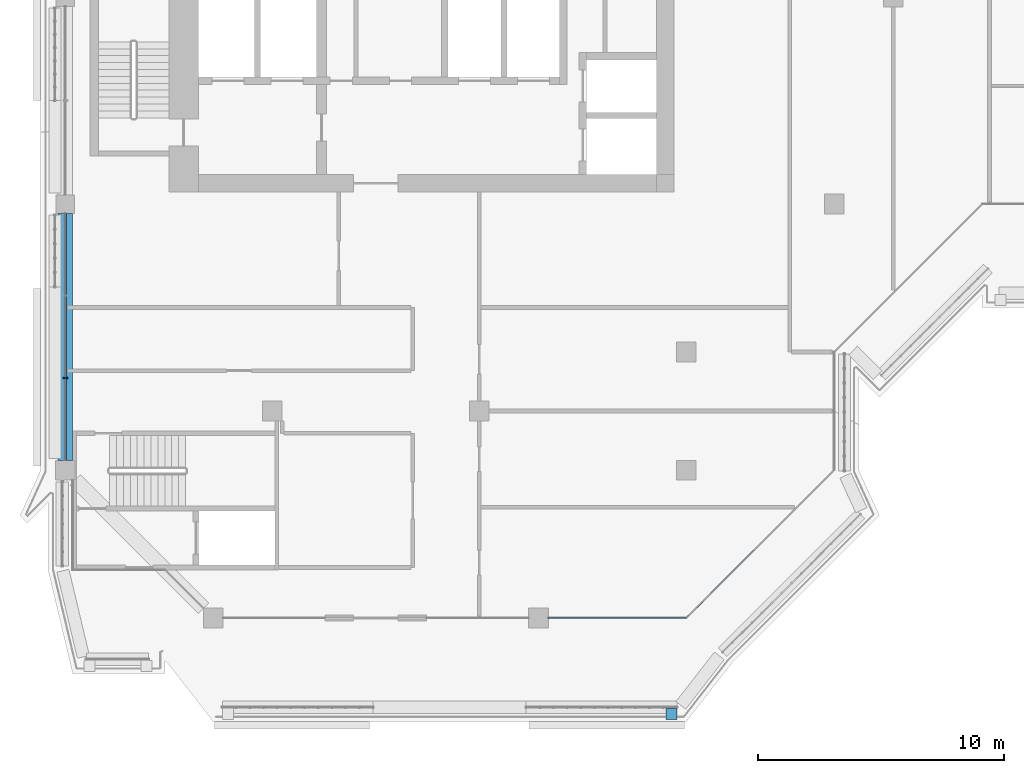
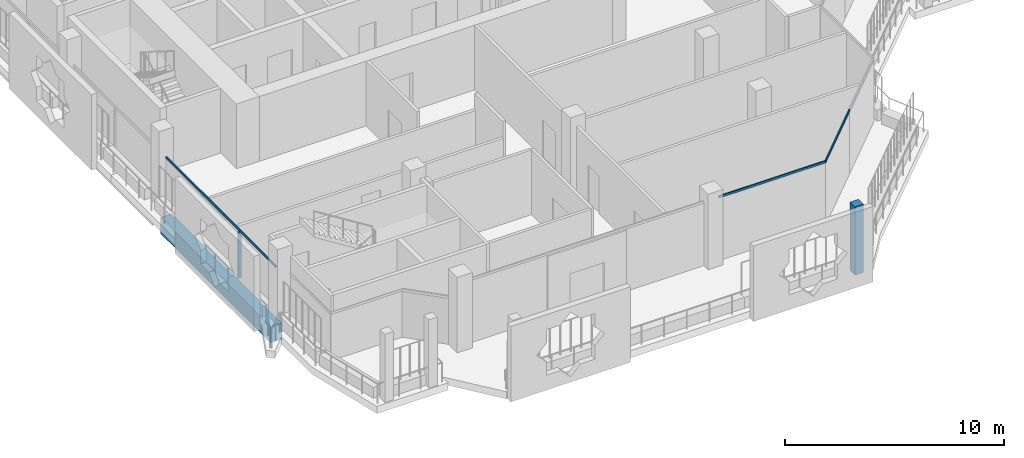
# One storey, part 2 of 21: 5 members, 1 beam, 4 elements without a shape of their own.
"""IFC4 building model written with IfcOpenShell, lengths in metres."""

from ifc_helpers import new_model, si_unit, direction, frame, origin, origin_2d, place, context, subcontext, project, spatial, rectangle, extrude, material, layer, layer_set, material_profile, profile_set, type_object, element, aggregate, save


model = new_model("IFC4")

# Units and contexts
model_context = context("Model", 3, precision=1e-05, world=origin(), true_north=direction((0.0, 1.0)))
body_context = subcontext(model_context, "Body", "Model", "MODEL_VIEW")
ifc_project = project(units=[si_unit("LENGTHUNIT", "METRE"), si_unit("AREAUNIT", "SQUARE_METRE"), si_unit("VOLUMEUNIT", "CUBIC_METRE"), si_unit("PLANEANGLEUNIT", "RADIAN"), si_unit("MASSUNIT", "GRAM", prefix="KILO")], contexts=[model_context])

# Site, building, storey
site_placement = place(None, origin())
site = spatial("IfcSite", under=ifc_project, at=site_placement, CompositionType="ELEMENT")
building_placement = place(site_placement, origin())
building = spatial("IfcBuilding", under=site, at=building_placement, Name="Kawkab Arch Medical Tower", CompositionType="ELEMENT")
storey_placement = place(building_placement, frame((0.0, 0.0, 319.60009765625)))
storey = spatial("IfcBuildingStorey", under=building, at=storey_placement, Name="L74", CompositionType="ELEMENT", Elevation=319.60009765625)

# Curtain wall, members
ifc_material_1 = material(Name="Bronze anodised aluminium curtain wall frame", Category="aluminium")
ifc_layer_1 = layer(ifc_material_1, 0.159912109375)
ifc_layer_set_1 = layer_set([ifc_layer_1], Name="Bronze anodised aluminium curtain wall frame")
curtain_wall_type_1 = type_object("IfcCurtainWallType", Name="CW1 ward curtain wall", PredefinedType="NOTDEFINED", material=ifc_layer_set_1)
placement = place(storey_placement, origin())
curtain_wall_1 = element("IfcCurtainWall", 1, at=placement, inside=storey, type_object=curtain_wall_type_1, Name="CW1 Ward curtain wall R02", PredefinedType="NOTDEFINED")
ifc_material_2 = material(Name="Bronze anodised aluminium curtain wall frame", Category="aluminium")
ifc_material_profile_1 = material_profile(ifc_material_2, rectangle(XDim=0.179931640625, YDim=0.06005859375, at=origin_2d()), Name="AL 60x180")
ifc_profile_set_1 = profile_set([ifc_material_profile_1], Name="Bronze anodised aluminium curtain wall frame")
member_type_1 = type_object("IfcMemberType", Name="CW1 mullion 60 x 180", PredefinedType="MULLION", material=ifc_profile_set_1)
member_1_placement = place(storey_placement, frame((0.0, -32.25830078125, 0.0), z_axis=(0.0, 0.0, 1.0), x_axis=(1.0, 0.0, 0.0)))
member_1 = element("IfcMember", 2, at=member_1_placement, type_object=member_type_1, Name="CW1 mullion 3.2", PredefinedType="MULLION", context=body_context, shape_type="SweptSolid", body=[
    extrude(rectangle(XDim=0.179931640625, YDim=0.06005859375, at=origin_2d()), origin(), (0.0, 0.0, 1.0), 2.579833984375),
])
ifc_material_3 = material(Name="Bronze anodised aluminium curtain wall frame", Category="aluminium")
ifc_material_profile_2 = material_profile(ifc_material_3, rectangle(XDim=0.06005859375, YDim=0.1201171875, at=origin_2d()), Name="AL 60x120")
ifc_profile_set_2 = profile_set([ifc_material_profile_2], Name="Bronze anodised aluminium curtain wall frame")
member_type_2 = type_object("IfcMemberType", Name="CW1 transom 120 x 60", PredefinedType="USERDEFINED", material=ifc_profile_set_2)
member_2_placement = place(storey_placement, frame((0.0, -25.574951171875, 2.639892578125), z_axis=(0.0, -1.0, 0.0), x_axis=(1.0, 0.0, 0.0)))
member_2 = element("IfcMember", 3, at=member_2_placement, type_object=member_type_2, Name="CW1 transom 3", ObjectType="TRANSOM", PredefinedType="USERDEFINED", context=body_context, shape_type="SweptSolid", body=[
    extrude(rectangle(XDim=0.06005859375, YDim=0.1201171875, at=origin_2d()), origin(), (0.0, 0.0, 1.0), 10.025146484375),
])
aggregate(curtain_wall_1, [member_2, member_1])

# Curtain wall, member
curtain_wall_2 = element("IfcCurtainWall", 4, at=placement, inside=storey, type_object=curtain_wall_type_1, Name="CW1 Ward curtain wall R07", PredefinedType="NOTDEFINED")
member_3_placement = place(storey_placement, frame((19.60009765625, -42.0, 3.539794921875), z_axis=(1.0, 0.0, 0.0), x_axis=(0.0, 1.0, 0.0)))
member_3 = element("IfcMember", 5, at=member_3_placement, type_object=member_type_2, Name="CW1 transom 2", ObjectType="TRANSOM", PredefinedType="USERDEFINED", context=body_context, shape_type="SweptSolid", body=[
    extrude(rectangle(XDim=0.06005859375, YDim=0.1201171875, at=origin_2d()), origin(), (0.0, 0.0, 1.0), 5.599853515625),
])
aggregate(curtain_wall_2, [member_3])

ifc_material_4 = material(Name="Bronze anodised aluminium curtain wall frame", Category="aluminium")
ifc_layer_2 = layer(ifc_material_4, 0.159912109375)
ifc_layer_set_2 = layer_set([ifc_layer_2], Name="Bronze anodised aluminium curtain wall frame")
curtain_wall_type_2 = type_object("IfcCurtainWallType", Name="CW2 chamfer curtain wall", PredefinedType="NOTDEFINED", material=ifc_layer_set_2)
curtain_wall_3 = element("IfcCurtainWall", 6, at=placement, inside=storey, type_object=curtain_wall_type_2, Name="CW2 Chamfer curtain wall R08", PredefinedType="NOTDEFINED")
ifc_material_5 = material(Name="Bronze anodised aluminium curtain wall frame", Category="aluminium")
ifc_material_profile_3 = material_profile(ifc_material_5, rectangle(XDim=0.06005859375, YDim=0.139892578125, at=origin_2d()), Name="AL 60x140")
ifc_profile_set_3 = profile_set([ifc_material_profile_3], Name="Bronze anodised aluminium curtain wall frame")
member_type_3 = type_object("IfcMemberType", Name="CW2 transom 140 x 60", PredefinedType="USERDEFINED", material=ifc_profile_set_3)
member_4_placement = place(storey_placement, frame((25.199951171875, -42.0, 3.52978515625), z_axis=(0.707106781187, 0.707106781187, 0.0), x_axis=(-0.707106781187, 0.707106781187, 0.0)))
member_4 = element("IfcMember", 7, at=member_4_placement, type_object=member_type_3, Name="CW2 transom 1", ObjectType="TRANSOM", PredefinedType="USERDEFINED", context=body_context, shape_type="SweptSolid", body=[
    extrude(rectangle(XDim=0.06005859375, YDim=0.139892578125, at=origin_2d()), origin(), (0.0, 0.0, 1.0), 4.24267578125),
])
aggregate(curtain_wall_3, [member_4])

ifc_material_6 = material(Name="Bronze anodised aluminium climber frame, planted", Category="aluminium")
ifc_layer_3 = layer(ifc_material_6, 0.449951171875)
ifc_layer_set_3 = layer_set([ifc_layer_3], Name="Bronze anodised aluminium climber frame, planted")
curtain_wall_type_3 = type_object("IfcCurtainWallType", Name="Planted climber frame", PredefinedType="NOTDEFINED", material=ifc_layer_set_3)
curtain_wall_4 = element("IfcCurtainWall", 8, at=placement, inside=storey, type_object=curtain_wall_type_3, Name="Planted climber frame L74", PredefinedType="NOTDEFINED")
ifc_material_7 = material(Name="Bronze anodised aluminium climber frame, planted", Category="aluminium")
ifc_material_profile_4 = material_profile(ifc_material_7, rectangle(XDim=0.449951171875, YDim=0.449951171875, at=origin_2d()), Name="Post 450x450")
ifc_profile_set_4 = profile_set([ifc_material_profile_4], Name="Bronze anodised aluminium climber frame, planted")
member_type_4 = type_object("IfcMemberType", Name="Planted climber post 450 x 450", PredefinedType="MULLION", material=ifc_profile_set_4)
member_5_placement = place(storey_placement, frame((24.60302734375, -45.89990234375, 0.0), z_axis=(0.0, 0.0, 1.0), x_axis=(1.0, 0.0, 0.0)))
member_5 = element("IfcMember", 9, at=member_5_placement, type_object=member_type_4, Name="Planted climber post L74.LOG-01-01.7", PredefinedType="MULLION", context=body_context, shape_type="SweptSolid", body=[
    extrude(rectangle(XDim=0.449951171875, YDim=0.449951171875, at=origin_2d()), origin(), (0.0, 0.0, 1.0), 3.7998046875),
])
aggregate(curtain_wall_4, [member_5])

# Beam
ifc_material_8 = material(Name="Concrete C40/50", Category="concrete")
ifc_material_profile_5 = material_profile(ifc_material_8, rectangle(XDim=0.60009765625, YDim=0.89990234375, at=origin_2d()), Name="RC 600x900")
ifc_profile_set_5 = profile_set([ifc_material_profile_5], Name="Concrete C40/50")
beam_type = type_object("IfcBeamType", Name="RC 600x900 beam C40/50", PredefinedType="BEAM", material=ifc_profile_set_5)
beam_placement = place(storey_placement, frame((0.0, -35.60009765625, -1.050048828125), z_axis=(0.0, 1.0, 0.0), x_axis=(-1.0, 0.0, 0.0)))
element("IfcBeam", 10, at=beam_placement, inside=storey, type_object=beam_type, Name="Overhang edge beam L74-03", PredefinedType="BEAM", context=body_context, shape_type="SweptSolid", body=[
    extrude(rectangle(XDim=0.60009765625, YDim=0.89990234375, at=origin_2d()), origin(), (0.0, 0.0, 1.0), 10.025146484375),
])

save(model, "model.ifc")
